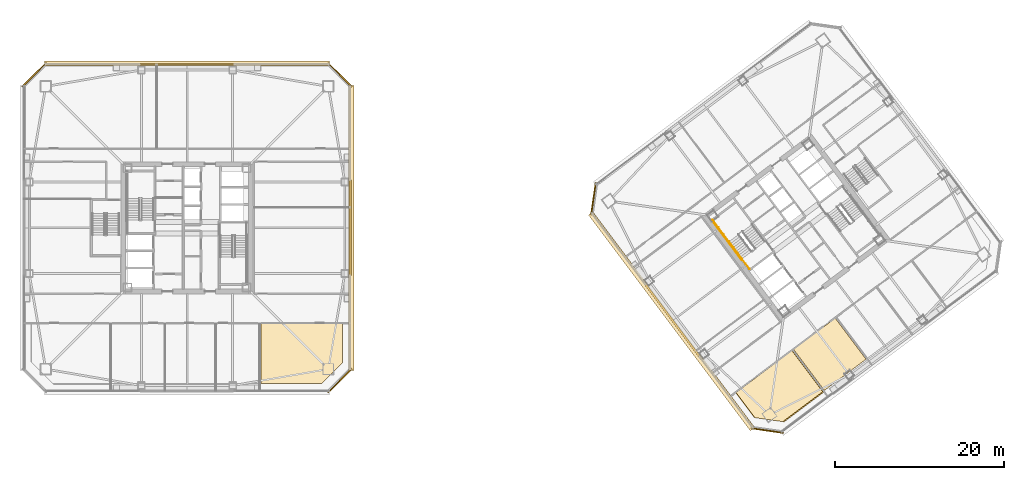
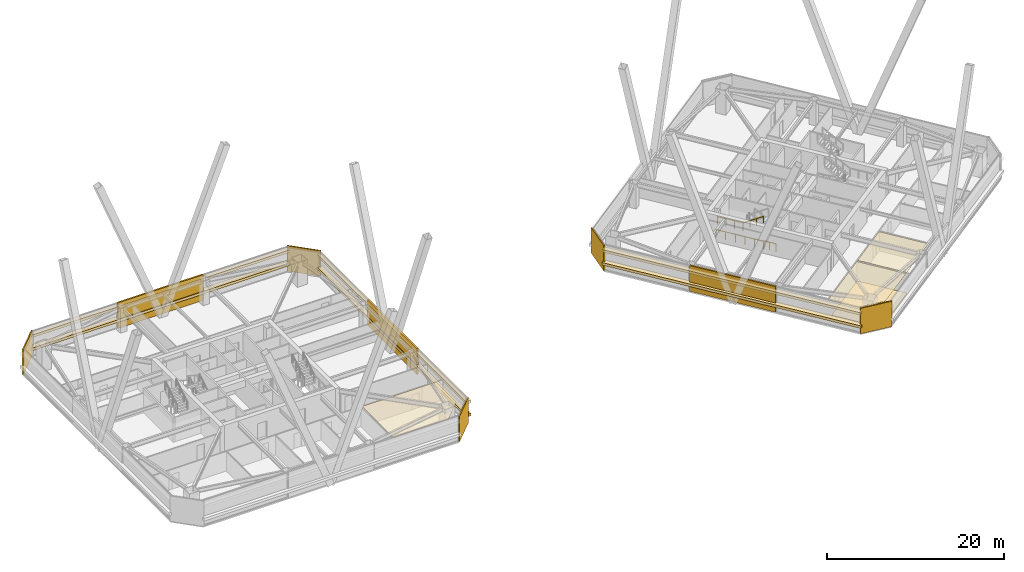
# One storey, part 47 of 50: 18 coverings, 4 railings.
"""IFC4 building model written with IfcOpenShell, lengths in metres."""

from ifc_helpers import new_model, si_unit, direction, frame, origin, origin_2d, place, context, subcontext, project, spatial, polyline, rectangle, outline, extrude, material, layer, layer_set, type_object, element, save


model = new_model("IFC4")

# Units and contexts
model_context = context("Model", 3, precision=1e-05, world=origin(), true_north=direction((0.0, 1.0)))
body_context = subcontext(model_context, "Body", "Model", "MODEL_VIEW")
ifc_project = project(units=[si_unit("LENGTHUNIT", "METRE"), si_unit("AREAUNIT", "SQUARE_METRE"), si_unit("VOLUMEUNIT", "CUBIC_METRE"), si_unit("PLANEANGLEUNIT", "RADIAN"), si_unit("MASSUNIT", "GRAM", prefix="KILO")], contexts=[model_context])

# Site, building, storey
site_placement = place(None, origin())
site = spatial("IfcSite", under=ifc_project, at=site_placement, CompositionType="ELEMENT")
building_placement = place(site_placement, origin())
building = spatial("IfcBuilding", under=site, at=building_placement, Name="Tashvorn Skyway Center", CompositionType="ELEMENT")
storey_placement = place(building_placement, frame((0.0, 0.0, 114.39990234375)))
storey = spatial("IfcBuildingStorey", under=building, at=storey_placement, Name="L30", CompositionType="ELEMENT", Elevation=114.39990234375)

# Coverings
ifc_material_1 = material(Name="Precast concrete C40/50", Category="concrete")
ifc_layer_1 = layer(ifc_material_1, 0.199951171875)
ifc_layer_set_1 = layer_set([ifc_layer_1], Name="Precast concrete C40/50")
covering_type_1 = type_object("IfcCoveringType", Name="COV-BRACE-CLAD", PredefinedType="CLADDING", material=ifc_layer_set_1)
for number, where, z_axis, x_axis, name in (
    (1, (42.0, 51.280029296875, 0.0), (0.0, 0.0, 1.0), (1.0, 0.0, 0.0), "Tower 1 L30 North Unitised Curtain Wall Mega-Brace Cladding Band 1"),
    (2, (61.280029296875, 32.0, 0.0), (0.0, 0.0, 1.0), (0.0, -1.0, 0.0), "Tower 1 L30 East Unitised Curtain Wall Mega-Brace Cladding Band 1"),
):
    element("IfcCovering", number, at=place(storey_placement, frame(where, z_axis=z_axis, x_axis=x_axis)), inside=storey, type_object=covering_type_1, Name=name, PredefinedType="CLADDING", context=body_context, shape_type="SweptSolid", body=[
        extrude(rectangle(XDim=11.1865234375, YDim=0.199951171875, at=origin_2d()), origin(), (0.0, 0.0, 1.0), 3.550048828125),
    ])
covering_1_placement = place(storey_placement, frame((99.3759765625, 21.031982421875, 0.0), z_axis=(0.0, 0.0, 1.0), x_axis=(-0.600000004945, 0.799999996291, 0.0)))
element("IfcCovering", 3, at=covering_1_placement, inside=storey, type_object=covering_type_1, Name="Tower 2 L30 West Unitised Curtain Wall Mega-Brace Cladding Band 1", PredefinedType="CLADDING", context=body_context, shape_type="SweptSolid", body=[
    extrude(rectangle(XDim=10.586669921875, YDim=0.199951171875, at=origin_2d()), origin(), (0.0, 0.0, 1.0), 3.550048828125),
])
ifc_material_2 = material(Name="Mineral-fibre acoustic ceiling tile on suspended grid")
ifc_layer_2 = layer(ifc_material_2, 0.02001953125)
ifc_layer_set_2 = layer_set([ifc_layer_2], Name="Mineral-fibre acoustic ceiling tile on suspended grid")
covering_type_2 = type_object("IfcCoveringType", Name="COV-CEIL-20", PredefinedType="CEILING", material=ifc_layer_set_2)
covering_2_placement = place(storey_placement, frame((0.0, 0.0, 2.703125)))
element("IfcCovering", 4, at=covering_2_placement, inside=storey, type_object=covering_type_2, Name="Tower 1 L30 Open Plan Office Acoustic Ceiling", PredefinedType="CEILING", context=body_context, shape_type="SweptSolid", body=[
    extrude(outline(polyline([(50.719970703125, 13.6201171875), (50.719970703125, 20.68994140625), (60.3798828125, 20.68994140625), (60.3798828125, 16.080078125), (57.919921875, 13.6201171875), (50.719970703125, 13.6201171875)])), origin(), (0.0, 0.0, 1.0), 0.02001953125),
])
covering_3_placement = place(storey_placement, frame((0.0, 0.0, 2.703125)))
element("IfcCovering", 5, at=covering_3_placement, inside=storey, type_object=covering_type_2, Name="Tower 2 L30 Executive Study Lounge Acoustic Ceiling", PredefinedType="CEILING", context=body_context, shape_type="SweptSolid", body=[
    extrude(outline(polyline([(106.882080078125, 12.52392578125), (113.489990234375, 17.47998046875), (117.132080078125, 12.6240234375), (112.412109375, 9.083984375), (109.10791015625, 9.555908203125), (106.882080078125, 12.52392578125)])), origin(), (0.0, 0.0, 1.0), 0.02001953125),
])
covering_4_placement = place(storey_placement, frame((0.0, 0.0, 2.703125)))
element("IfcCovering", 6, at=covering_4_placement, inside=storey, type_object=covering_type_2, Name="Tower 2 L30 Design Studio Acoustic Ceiling", PredefinedType="CEILING", context=body_context, shape_type="SweptSolid", body=[
    extrude(outline(polyline([(113.681884765625, 17.6240234375), (118.610107421875, 21.320068359375), (122.251953125, 16.464111328125), (117.323974609375, 12.76806640625), (113.681884765625, 17.6240234375)])), origin(), (0.0, 0.0, 1.0), 0.02001953125),
])
ifc_material_3 = material(Name="Polished Mojave desert-aggregate terrazzo and cover plate")
ifc_layer_3 = layer(ifc_material_3, 0.0400390625)
ifc_layer_set_3 = layer_set([ifc_layer_3], Name="Polished Mojave desert-aggregate terrazzo and cover plate")
covering_type_3 = type_object("IfcCoveringType", Name="COV-FLR-40", PredefinedType="FLOORING", material=ifc_layer_set_3)
covering_5_placement = place(storey_placement, origin())
element("IfcCovering", 7, at=covering_5_placement, inside=storey, type_object=covering_type_3, Name="Tower 2 L30 Executive Study Lounge Finish Flooring", PredefinedType="FLOORING", context=body_context, shape_type="SweptSolid", body=[
    extrude(outline(polyline([(112.580078125, 9.06005859375), (109.052001953125, 9.56396484375), (106.8740234375, 12.468017578125), (113.5458984375, 17.471923828125), (117.236083984375, 12.552001953125), (112.580078125, 9.06005859375)])), origin(), (0.0, 0.0, 1.0), 0.0400390625),
])
ifc_material_4 = material(Name="Perforated ceramic-coated bronze aluminium solar screen", Category="aluminium")
ifc_layer_4 = layer(ifc_material_4, 0.85009765625)
ifc_layer_set_4 = layer_set([ifc_layer_4], Name="Perforated ceramic-coated bronze aluminium solar screen")
covering_type_4 = type_object("IfcCoveringType", Name="COV-SOLAR-BAND", PredefinedType="CLADDING", material=ifc_layer_set_4)
for number, where, z_axis, x_axis, name in (
    (8, (42.0, 51.419921875, 0.919921875), (0.0, 0.0, 1.0), (1.0, 0.0, 0.0), "L30 Perforated Ceramic-Metal Solar Screen Louvre Band North 1"),
    (9, (42.0, 51.419921875, 2.72021484375), (0.0, 0.0, 1.0), (1.0, 0.0, 0.0), "L30 Perforated Ceramic-Metal Solar Screen Louvre Band North 2"),
    (10, (61.419921875, 32.0, 0.919921875), (0.0, 0.0, 1.0), (0.0, -1.0, 0.0), "L30 Perforated Ceramic-Metal Solar Screen Louvre Band East 1"),
    (11, (61.419921875, 32.0, 2.72021484375), (0.0, 0.0, 1.0), (0.0, -1.0, 0.0), "L30 Perforated Ceramic-Metal Solar Screen Louvre Band East 2"),
):
    element("IfcCovering", number, at=place(storey_placement, frame(where, z_axis=z_axis, x_axis=x_axis)), inside=storey, type_object=covering_type_4, Name=name, PredefinedType="CLADDING", context=body_context, shape_type="SweptSolid", body=[
        extrude(rectangle(XDim=33.679931640625, YDim=0.639892578125, at=origin_2d()), origin(), (0.0, 0.0, 1.0), 0.360107421875),
    ])
for number, where, z_axis, x_axis, name in (
    (12, (99.263916015625, 20.947998046875, 0.919921875), (0.0, 0.0, 1.0), (-0.600000004945, 0.799999996291, 0.0), "L30 Perforated Ceramic-Metal Solar Screen Louvre Band West 1"),
    (13, (99.263916015625, 20.947998046875, 2.72021484375), (0.0, 0.0, 1.0), (-0.600000004945, 0.799999996291, 0.0), "L30 Perforated Ceramic-Metal Solar Screen Louvre Band West 2"),
):
    element("IfcCovering", number, at=place(storey_placement, frame(where, z_axis=z_axis, x_axis=x_axis)), inside=storey, type_object=covering_type_4, Name=name, PredefinedType="CLADDING", context=body_context, shape_type="SweptSolid", body=[
        extrude(rectangle(XDim=31.8798828125, YDim=0.639892578125, at=origin_2d()), origin(), (0.0, 0.0, 1.0), 0.360107421875),
    ])
ifc_layer_5 = layer(ifc_material_1, 0.35009765625)
ifc_layer_set_5 = layer_set([ifc_layer_5], Name="Precast concrete C40/50")
covering_type_5 = type_object("IfcCoveringType", Name="COV-STONE-TRIM", PredefinedType="CLADDING", material=ifc_layer_set_5)
for number, where, z_axis, x_axis, name in (
    (14, (23.929931640625, 50.070068359375, 0.02001953125), (0.0, 0.0, 1.0), (-0.707106781187, -0.707106781187, 0.0), "Tower 1 L30 NW Mojave Limestone Corner Quoin"),
    (15, (60.070068359375, 50.070068359375, 0.02001953125), (0.0, 0.0, 1.0), (0.707106781187, -0.707106781187, 0.0), "Tower 1 L30 NE Mojave Limestone Corner Quoin"),
    (16, (60.070068359375, 13.929931640625, 0.02001953125), (0.0, 0.0, 1.0), (0.707106781187, 0.707106781187, 0.0), "Tower 1 L30 SE Mojave Limestone Corner Quoin"),
):
    element("IfcCovering", number, at=place(storey_placement, frame(where, z_axis=z_axis, x_axis=x_axis)), inside=storey, type_object=covering_type_5, Name=name, PredefinedType="CLADDING", context=body_context, shape_type="SweptSolid", body=[
        extrude(rectangle(XDim=3.978515625, YDim=0.139892578125, at=origin_2d()), origin(), (0.0, 0.0, 1.0), 3.510009765625),
    ])
for number, where, z_axis, x_axis, name in (
    (17, (110.575927734375, 8.031982421875, 0.02001953125), (0.0, 0.0, 1.0), (-0.989949494535, 0.141421350118, 0.0), "Tower 2 L30 SW Mojave Limestone Corner Quoin"),
    (18, (90.031982421875, 35.424072265625, 0.02001953125), (0.0, 0.0, 1.0), (-0.141421350118, -0.989949494535, 0.0), "Tower 2 L30 NW Mojave Limestone Corner Quoin"),
):
    element("IfcCovering", number, at=place(storey_placement, frame(where, z_axis=z_axis, x_axis=x_axis)), inside=storey, type_object=covering_type_5, Name=name, PredefinedType="CLADDING", context=body_context, shape_type="SweptSolid", body=[
        extrude(rectangle(XDim=3.8369140625, YDim=0.139892578125, at=origin_2d()), origin(), (0.0, 0.0, 1.0), 3.510009765625),
    ])

# Railings
ifc_material_5 = material(Name="Brushed stainless steel 316", Category="steel")
railing_type_1 = type_object("IfcRailingType", Name="RAIL-HAND-920", PredefinedType="HANDRAIL", material=ifc_material_5)
railing_1_placement = place(storey_placement, frame((106.072021484375, 30.35400390625, 1.95263671875)))
element("IfcRailing", 19, at=railing_1_placement, inside=storey, type_object=railing_type_1, Name="L30 ST-T2-1 stair handrail 2", PredefinedType="HANDRAIL", context=body_context, shape_type="SweptSolid", body=[
    extrude(rectangle(XDim=0.048095703125, YDim=0.048095703125, at=origin_2d()), frame((0.0, 0.0, 0.8759765625), z_axis=(0.506740800098, -0.675708949977, 0.535379469569), x_axis=(0.800023250257, 0.599968998406, 0.0)), (0.0, 0.0, 1.0), 2.983642578125),
    extrude(rectangle(XDim=0.0419921875, YDim=0.0419921875, at=origin_2d()), origin(), (0.0, 0.0, 1.0), 0.851806640625),
    extrude(rectangle(XDim=0.0419921875, YDim=0.0419921875, at=origin_2d()), frame((0.50390625, -0.672119140625, 0.532470703125)), (0.0, 0.0, 1.0), 0.851806640625),
    extrude(rectangle(XDim=0.0419921875, YDim=0.0419921875, at=origin_2d()), frame((1.008056640625, -1.343994140625, 1.06494140625)), (0.0, 0.0, 1.0), 0.851806640625),
    extrude(rectangle(XDim=0.0419921875, YDim=0.0419921875, at=origin_2d()), frame((1.511962890625, -2.01611328125, 1.597412109375)), (0.0, 0.0, 1.0), 0.851806640625),
])
ifc_material_6 = material(Name="Painted galvanized steel S355", Category="steel")
railing_type_2 = type_object("IfcRailingType", Name="RAIL-STGUARD-1100", PredefinedType="GUARDRAIL", material=ifc_material_6)
railing_2_placement = place(storey_placement, frame((106.072021484375, 30.35400390625, 1.775146484375)))
element("IfcRailing", 20, at=railing_2_placement, inside=storey, type_object=railing_type_2, Name="L30 ST-T2-1 stair guard 3", PredefinedType="GUARDRAIL", context=body_context, shape_type="SweptSolid", body=[
    extrude(rectangle(XDim=0.048095703125, YDim=0.048095703125, at=origin_2d()), frame((0.0, 0.0, 1.076171875), z_axis=(-0.599987638607, 0.800009270896, 0.0), x_axis=(-0.800009270896, -0.599987638607, 0.0)), (0.0, 0.0, 1.0), 3.16015625),
    extrude(rectangle(XDim=0.0419921875, YDim=0.0419921875, at=origin_2d()), origin(), (0.0, 0.0, 1.0), 1.052001953125),
    extrude(rectangle(XDim=0.0419921875, YDim=0.0419921875, at=origin_2d()), frame((-0.632080078125, 0.8427734375, 0.0)), (0.0, 0.0, 1.0), 1.052001953125),
    extrude(rectangle(XDim=0.0419921875, YDim=0.0419921875, at=origin_2d()), frame((-1.263916015625, 1.685302734375, 0.0)), (0.0, 0.0, 1.0), 1.052001953125),
    extrude(rectangle(XDim=0.0419921875, YDim=0.0419921875, at=origin_2d()), frame((-1.89599609375, 2.528076171875, 0.0)), (0.0, 0.0, 1.0), 1.052001953125),
])
railing_3_placement = place(storey_placement, frame((108.49609375, 27.1220703125, 0.0)))
element("IfcRailing", 21, at=railing_3_placement, inside=storey, type_object=railing_type_2, Name="L30 ST-T2-1 stair guard 6", PredefinedType="GUARDRAIL", context=body_context, shape_type="SweptSolid", body=[
    extrude(rectangle(XDim=0.048095703125, YDim=0.048095703125, at=origin_2d()), frame((0.0, 0.0, 1.076171875), z_axis=(-0.600102796382, 0.799922892393, 0.0), x_axis=(-0.799922892393, -0.600102796382, 0.0)), (0.0, 0.0, 1.0), 1.52001953125),
    extrude(rectangle(XDim=0.0419921875, YDim=0.0419921875, at=origin_2d()), origin(), (0.0, 0.0, 1.0), 1.052001953125),
    extrude(rectangle(XDim=0.0419921875, YDim=0.0419921875, at=origin_2d()), frame((-0.4560546875, 0.60791015625, 0.0)), (0.0, 0.0, 1.0), 1.052001953125),
    extrude(rectangle(XDim=0.0419921875, YDim=0.0419921875, at=origin_2d()), frame((-0.912109375, 1.2158203125, 0.0)), (0.0, 0.0, 1.0), 1.052001953125),
])
railing_4_placement = place(storey_placement, frame((107.56396484375, 28.197998046875, 0.0)))
element("IfcRailing", 22, at=railing_4_placement, inside=storey, type_object=railing_type_2, Name="L30 ST-T2-1 stair guard 7", PredefinedType="GUARDRAIL", context=body_context, shape_type="SweptSolid", body=[
    extrude(rectangle(XDim=0.048095703125, YDim=0.048095703125, at=origin_2d()), frame((0.0, 0.0, 1.076171875), z_axis=(-0.6, 0.8, 0.0), x_axis=(-0.8, -0.6, 0.0)), (0.0, 0.0, 1.0), 5.880126953125),
    extrude(rectangle(XDim=0.0419921875, YDim=0.0419921875, at=origin_2d()), origin(), (0.0, 0.0, 1.0), 1.052001953125),
    extrude(rectangle(XDim=0.0419921875, YDim=0.0419921875, at=origin_2d()), frame((-0.70556640625, 0.94091796875, 0.0)), (0.0, 0.0, 1.0), 1.052001953125),
    extrude(rectangle(XDim=0.0419921875, YDim=0.0419921875, at=origin_2d()), frame((-1.4111328125, 1.881591796875, 0.0)), (0.0, 0.0, 1.0), 1.052001953125),
    extrude(rectangle(XDim=0.0419921875, YDim=0.0419921875, at=origin_2d()), frame((-2.116943359375, 2.822509765625, 0.0)), (0.0, 0.0, 1.0), 1.052001953125),
    extrude(rectangle(XDim=0.0419921875, YDim=0.0419921875, at=origin_2d()), frame((-2.822509765625, 3.76318359375, 0.0)), (0.0, 0.0, 1.0), 1.052001953125),
    extrude(rectangle(XDim=0.0419921875, YDim=0.0419921875, at=origin_2d()), frame((-3.528076171875, 4.7041015625, 0.0)), (0.0, 0.0, 1.0), 1.052001953125),
])

save(model, "model.ifc")
